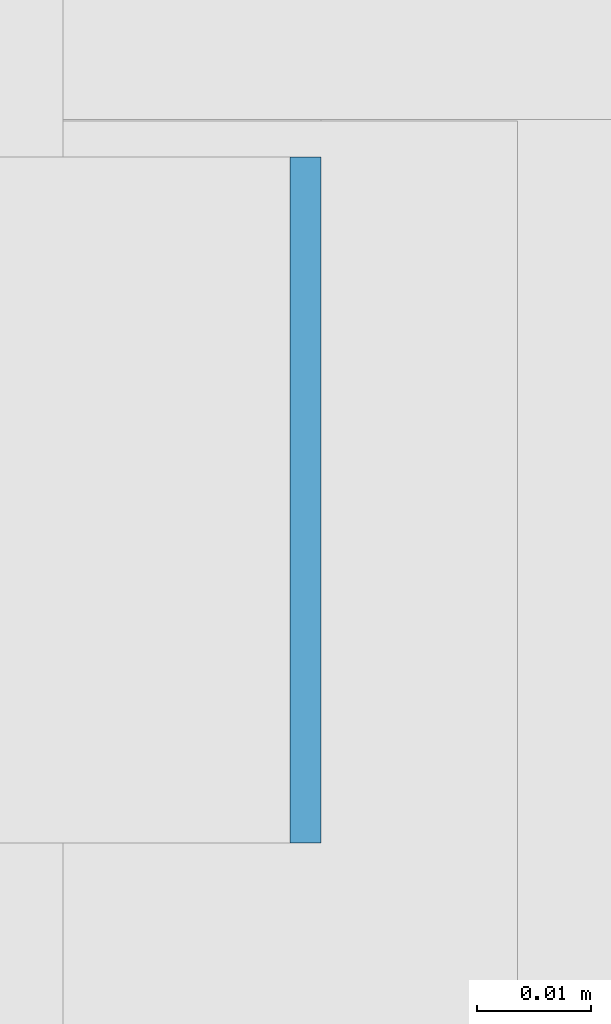
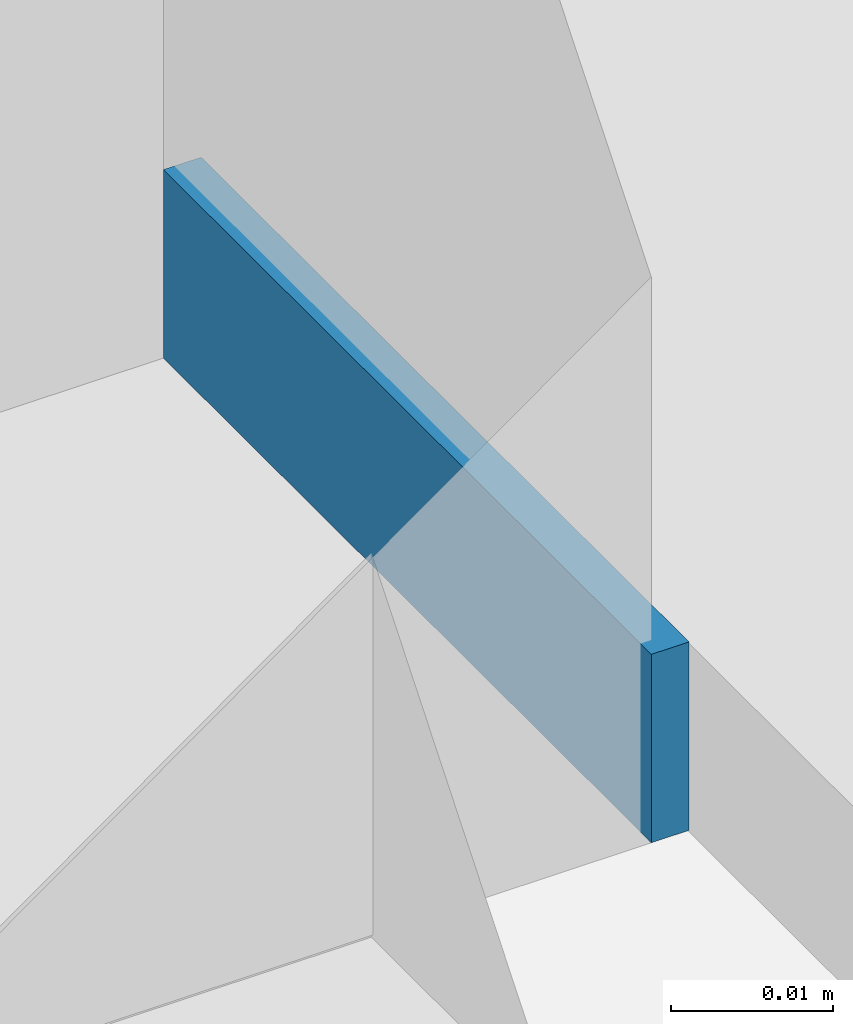
# One storey, part 418 of 646: 1 discrete accessory.
"""IFC4 building model written with IfcOpenShell, lengths in metres."""

from ifc_helpers import new_model, si_unit, direction, frame, origin, origin_2d, place, context, subcontext, project, spatial, rectangle, extrude, material, type_object, element, save


model = new_model("IFC4")

# Units and contexts
model_context = context("Model", 3, precision=1e-05, world=origin(), true_north=direction((0.0, 1.0)))
body_context = subcontext(model_context, "Body", "Model", "MODEL_VIEW")
ifc_project = project(units=[si_unit("LENGTHUNIT", "METRE"), si_unit("AREAUNIT", "SQUARE_METRE"), si_unit("VOLUMEUNIT", "CUBIC_METRE"), si_unit("PLANEANGLEUNIT", "RADIAN"), si_unit("MASSUNIT", "GRAM", prefix="KILO")], contexts=[model_context])

# Site, building, storey
site_placement = place(None, origin())
site = spatial("IfcSite", under=ifc_project, at=site_placement, CompositionType="ELEMENT")
building_placement = place(site_placement, origin())
building = spatial("IfcBuilding", under=site, at=building_placement, Name="Silverbay Arena", CompositionType="ELEMENT")
storey_placement = place(building_placement, frame((0.0, 0.0, 33.5)))
storey = spatial("IfcBuildingStorey", under=building, at=storey_placement, Name="L05", CompositionType="ELEMENT", Elevation=33.5)

# Discrete accessory
ifc_material = material(Name="Steel S355", Category="steel")
discrete_accessory_type = type_object("IfcDiscreteAccessoryType", Name="Steel bracket plate", PredefinedType="BRACKET", material=ifc_material)
discrete_accessory_placement = place(storey_placement, frame((53.871337890625, 128.86669921875, 4.0), z_axis=(0.0, 0.0, 1.0), x_axis=(1.0, 0.0, 0.0)))
element("IfcDiscreteAccessory", 1, at=discrete_accessory_placement, inside=storey, type_object=discrete_accessory_type, Name="Curtain wall packing plate", PredefinedType="BRACKET", context=body_context, shape_type="SweptSolid", body=[
    extrude(rectangle(XDim=0.002685546875, YDim=0.06005859375, at=origin_2d()), origin(), (0.0, 0.0, 1.0), 0.01416015625),
])

save(model, "model.ifc")
